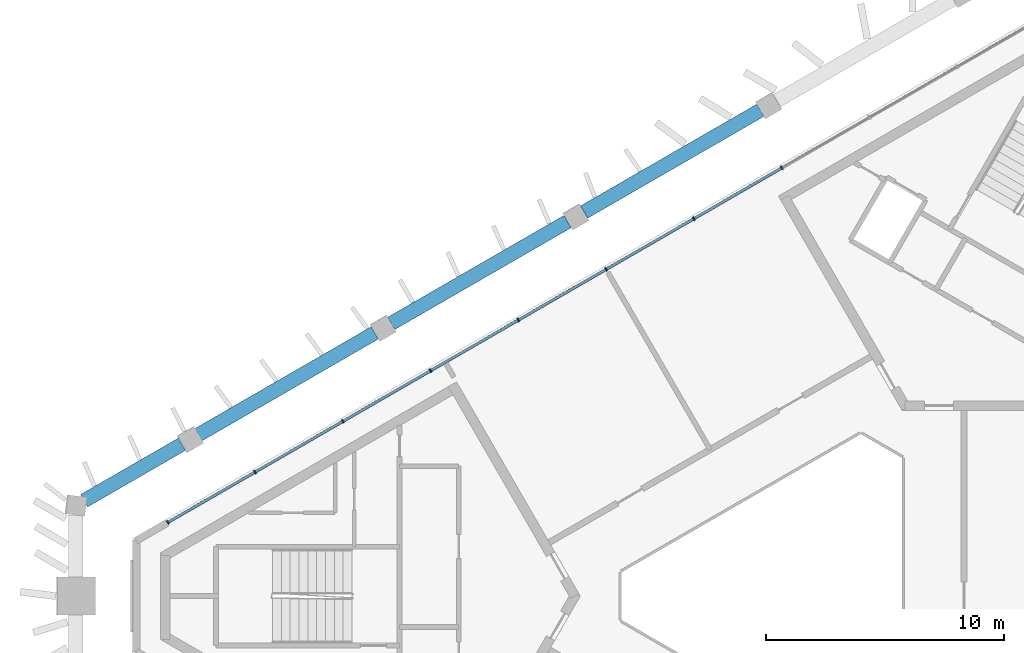
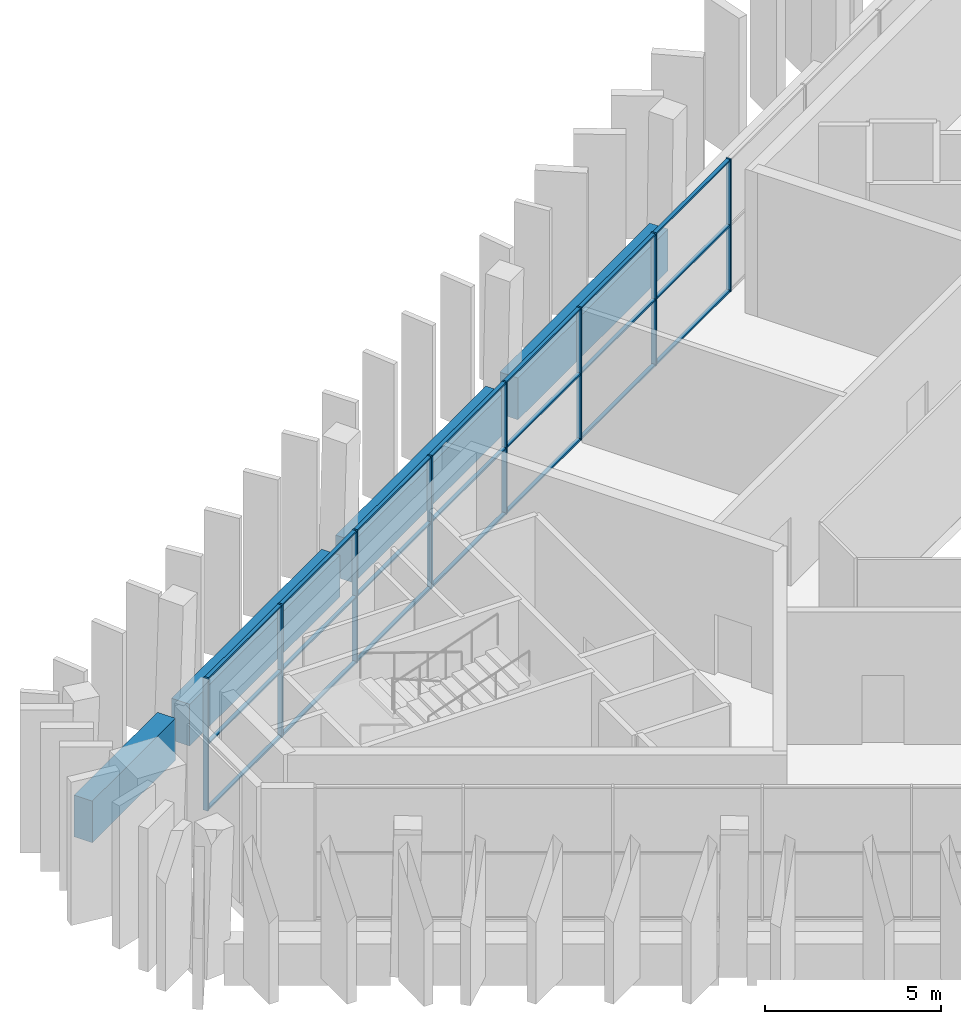
# One storey, part 5 of 13: 29 members, 4 beams, 1 element without a shape of its own.
"""IFC4 building model written with IfcOpenShell, lengths in metres."""

from ifc_helpers import new_model, si_unit, direction, frame, origin, origin_2d, place, context, subcontext, project, spatial, rectangle, extrude, material, layer, layer_set, material_profile, profile_set, type_object, element, aggregate, save


model = new_model("IFC4")

# Units and contexts
model_context = context("Model", 3, precision=1e-05, world=origin(), true_north=direction((0.0, 1.0)))
body_context = subcontext(model_context, "Body", "Model", "MODEL_VIEW")
ifc_project = project(units=[si_unit("LENGTHUNIT", "METRE"), si_unit("AREAUNIT", "SQUARE_METRE"), si_unit("VOLUMEUNIT", "CUBIC_METRE"), si_unit("PLANEANGLEUNIT", "RADIAN"), si_unit("MASSUNIT", "GRAM", prefix="KILO")], contexts=[model_context])

# Site, building, storey
site_placement = place(None, origin())
site = spatial("IfcSite", under=ifc_project, at=site_placement, CompositionType="ELEMENT")
building_placement = place(site_placement, origin())
building = spatial("IfcBuilding", under=site, at=building_placement, Name="Jabali Bay Hotel Tower and Convention Centre", CompositionType="ELEMENT")
storey_placement = place(building_placement, frame((0.0, 0.0, 310.800048828125)))
storey = spatial("IfcBuildingStorey", under=building, at=storey_placement, Name="L76", CompositionType="ELEMENT", Elevation=310.800048828125)

# Curtain wall, members
ifc_material_1 = material(Name="Aluminium and glass", Category="aluminium")
ifc_layer = layer(ifc_material_1, 0.159912109375)
ifc_layer_set = layer_set([ifc_layer], Name="Aluminium and glass")
curtain_wall_type = type_object("IfcCurtainWallType", Name="CW3 curtain wall", PredefinedType="NOTDEFINED", material=ifc_layer_set)
curtain_wall_placement = place(storey_placement, origin())
curtain_wall = element("IfcCurtainWall", 1, at=curtain_wall_placement, inside=storey, type_object=curtain_wall_type, Name="CW3 curtain wall north-west face L76", PredefinedType="NOTDEFINED")
ifc_material_2 = material(Name="Aluminium", Category="aluminium")
ifc_material_profile_1 = material_profile(ifc_material_2, rectangle(XDim=0.159912109375, YDim=0.06005859375, at=origin_2d()), Name="CW3 mullion 60 x 160")
ifc_profile_set_1 = profile_set([ifc_material_profile_1], Name="Aluminium")
member_type_1 = type_object("IfcMemberType", Name="CW3 mullion 60 x 160", PredefinedType="MULLION", material=ifc_profile_set_1)
member_1_placement = place(storey_placement, frame((48.69580078125, 83.09326171875, 0.0), z_axis=(0.0, 0.0, 1.0), x_axis=(-0.5, 0.866025403784, 0.0)))
member_1 = element("IfcMember", 2, at=member_1_placement, type_object=member_type_1, Name="CW3 mullion 1", PredefinedType="MULLION", context=body_context, shape_type="SweptSolid", body=[
    extrude(rectangle(XDim=0.159912109375, YDim=0.06005859375, at=origin_2d()), origin(), (0.0, 0.0, 1.0), 4.599853515625),
])
member_2_placement = place(storey_placement, frame((52.352783203125, 85.20458984375, 0.0), z_axis=(0.0, 0.0, 1.0), x_axis=(-0.5, 0.866025403784, 0.0)))
member_2 = element("IfcMember", 3, at=member_2_placement, type_object=member_type_1, Name="CW3 mullion 2", PredefinedType="MULLION", context=body_context, shape_type="SweptSolid", body=[
    extrude(rectangle(XDim=0.159912109375, YDim=0.06005859375, at=origin_2d()), origin(), (0.0, 0.0, 1.0), 4.599853515625),
])
member_3_placement = place(storey_placement, frame((56.03564453125, 87.3310546875, 0.0), z_axis=(0.0, 0.0, 1.0), x_axis=(-0.5, 0.866025403784, 0.0)))
member_3 = element("IfcMember", 4, at=member_3_placement, type_object=member_type_1, Name="CW3 mullion 3", PredefinedType="MULLION", context=body_context, shape_type="SweptSolid", body=[
    extrude(rectangle(XDim=0.159912109375, YDim=0.06005859375, at=origin_2d()), origin(), (0.0, 0.0, 1.0), 4.599853515625),
])
member_4_placement = place(storey_placement, frame((59.71875, 89.457275390625, 0.0), z_axis=(0.0, 0.0, 1.0), x_axis=(-0.5, 0.866025403784, 0.0)))
member_4 = element("IfcMember", 5, at=member_4_placement, type_object=member_type_1, Name="CW3 mullion 4", PredefinedType="MULLION", context=body_context, shape_type="SweptSolid", body=[
    extrude(rectangle(XDim=0.159912109375, YDim=0.06005859375, at=origin_2d()), origin(), (0.0, 0.0, 1.0), 4.599853515625),
])
member_5_placement = place(storey_placement, frame((63.401611328125, 91.583740234375, 0.0), z_axis=(0.0, 0.0, 1.0), x_axis=(-0.5, 0.866025403784, 0.0)))
member_5 = element("IfcMember", 6, at=member_5_placement, type_object=member_type_1, Name="CW3 mullion 5", PredefinedType="MULLION", context=body_context, shape_type="SweptSolid", body=[
    extrude(rectangle(XDim=0.159912109375, YDim=0.06005859375, at=origin_2d()), origin(), (0.0, 0.0, 1.0), 4.599853515625),
])
member_6_placement = place(storey_placement, frame((67.08447265625, 93.7099609375, 0.0), z_axis=(0.0, 0.0, 1.0), x_axis=(-0.5, 0.866025403784, 0.0)))
member_6 = element("IfcMember", 7, at=member_6_placement, type_object=member_type_1, Name="CW3 mullion 6", PredefinedType="MULLION", context=body_context, shape_type="SweptSolid", body=[
    extrude(rectangle(XDim=0.159912109375, YDim=0.06005859375, at=origin_2d()), origin(), (0.0, 0.0, 1.0), 4.599853515625),
])
member_7_placement = place(storey_placement, frame((70.767578125, 95.83642578125, 0.0), z_axis=(0.0, 0.0, 1.0), x_axis=(-0.5, 0.866025403784, 0.0)))
member_7 = element("IfcMember", 8, at=member_7_placement, type_object=member_type_1, Name="CW3 mullion 7", PredefinedType="MULLION", context=body_context, shape_type="SweptSolid", body=[
    extrude(rectangle(XDim=0.159912109375, YDim=0.06005859375, at=origin_2d()), origin(), (0.0, 0.0, 1.0), 4.599853515625),
])
member_8_placement = place(storey_placement, frame((74.450439453125, 97.962646484375, 0.0), z_axis=(0.0, 0.0, 1.0), x_axis=(-0.5, 0.866025403784, 0.0)))
member_8 = element("IfcMember", 9, at=member_8_placement, type_object=member_type_1, Name="CW3 mullion 8", PredefinedType="MULLION", context=body_context, shape_type="SweptSolid", body=[
    extrude(rectangle(XDim=0.159912109375, YDim=0.06005859375, at=origin_2d()), origin(), (0.0, 0.0, 1.0), 4.599853515625),
])
ifc_material_profile_2 = material_profile(ifc_material_2, rectangle(XDim=0.1201171875, YDim=0.06005859375, at=origin_2d()), Name="CW3 transom 60 x 120")
ifc_profile_set_2 = profile_set([ifc_material_profile_2], Name="Aluminium")
member_type_2 = type_object("IfcMemberType", Name="CW3 transom 60 x 120", PredefinedType="USERDEFINED", material=ifc_profile_set_2)
member_9_placement = place(storey_placement, frame((48.7216796875, 83.108154296875, 0.030029296875), z_axis=(0.866018583443, 0.500011812991, 0.0), x_axis=(-0.500011812991, 0.866018583443, 0.0)))
member_9 = element("IfcMember", 10, at=member_9_placement, type_object=member_type_2, Name="CW3 transom 1.1", ObjectType="TRANSOM", PredefinedType="USERDEFINED", context=body_context, shape_type="SweptSolid", body=[
    extrude(rectangle(XDim=0.1201171875, YDim=0.06005859375, at=origin_2d()), origin(), (0.0, 0.0, 1.0), 4.1630859375),
])
member_10_placement = place(storey_placement, frame((48.7216796875, 83.108154296875, 2.300048828125), z_axis=(0.866018583443, 0.500011812991, 0.0), x_axis=(-0.500011812991, 0.866018583443, 0.0)))
member_10 = element("IfcMember", 11, at=member_10_placement, type_object=member_type_2, Name="CW3 transom 1.2", ObjectType="TRANSOM", PredefinedType="USERDEFINED", context=body_context, shape_type="SweptSolid", body=[
    extrude(rectangle(XDim=0.1201171875, YDim=0.06005859375, at=origin_2d()), origin(), (0.0, 0.0, 1.0), 4.1630859375),
])
member_11_placement = place(storey_placement, frame((48.7216796875, 83.108154296875, 4.570068359375), z_axis=(0.866018583443, 0.500011812991, 0.0), x_axis=(-0.500011812991, 0.866018583443, 0.0)))
member_11 = element("IfcMember", 12, at=member_11_placement, type_object=member_type_2, Name="CW3 transom 1.3", ObjectType="TRANSOM", PredefinedType="USERDEFINED", context=body_context, shape_type="SweptSolid", body=[
    extrude(rectangle(XDim=0.1201171875, YDim=0.06005859375, at=origin_2d()), origin(), (0.0, 0.0, 1.0), 4.1630859375),
])
member_12_placement = place(storey_placement, frame((52.378662109375, 85.2197265625, 0.030029296875), z_axis=(0.866048865957, 0.499959360123, 0.0), x_axis=(-0.499959360123, 0.866048865957, 0.0)))
member_12 = element("IfcMember", 13, at=member_12_placement, type_object=member_type_2, Name="CW3 transom 2.1", ObjectType="TRANSOM", PredefinedType="USERDEFINED", context=body_context, shape_type="SweptSolid", body=[
    extrude(rectangle(XDim=0.1201171875, YDim=0.06005859375, at=origin_2d()), origin(), (0.0, 0.0, 1.0), 4.192626953125),
])
member_13_placement = place(storey_placement, frame((52.378662109375, 85.2197265625, 2.300048828125), z_axis=(0.866048865957, 0.499959360123, 0.0), x_axis=(-0.499959360123, 0.866048865957, 0.0)))
member_13 = element("IfcMember", 14, at=member_13_placement, type_object=member_type_2, Name="CW3 transom 2.2", ObjectType="TRANSOM", PredefinedType="USERDEFINED", context=body_context, shape_type="SweptSolid", body=[
    extrude(rectangle(XDim=0.1201171875, YDim=0.06005859375, at=origin_2d()), origin(), (0.0, 0.0, 1.0), 4.192626953125),
])
member_14_placement = place(storey_placement, frame((52.378662109375, 85.2197265625, 4.570068359375), z_axis=(0.866048865957, 0.499959360123, 0.0), x_axis=(-0.499959360123, 0.866048865957, 0.0)))
member_14 = element("IfcMember", 15, at=member_14_placement, type_object=member_type_2, Name="CW3 transom 2.3", ObjectType="TRANSOM", PredefinedType="USERDEFINED", context=body_context, shape_type="SweptSolid", body=[
    extrude(rectangle(XDim=0.1201171875, YDim=0.06005859375, at=origin_2d()), origin(), (0.0, 0.0, 1.0), 4.192626953125),
])
member_15_placement = place(storey_placement, frame((56.061767578125, 87.345947265625, 0.030029296875), z_axis=(0.866009094545, 0.500028247368, 0.0), x_axis=(-0.500028247368, 0.866009094545, 0.0)))
member_15 = element("IfcMember", 16, at=member_15_placement, type_object=member_type_2, Name="CW3 transom 3.1", ObjectType="TRANSOM", PredefinedType="USERDEFINED", context=body_context, shape_type="SweptSolid", body=[
    extrude(rectangle(XDim=0.1201171875, YDim=0.06005859375, at=origin_2d()), origin(), (0.0, 0.0, 1.0), 4.192626953125),
])
member_16_placement = place(storey_placement, frame((56.061767578125, 87.345947265625, 2.300048828125), z_axis=(0.866009094545, 0.500028247368, 0.0), x_axis=(-0.500028247368, 0.866009094545, 0.0)))
member_16 = element("IfcMember", 17, at=member_16_placement, type_object=member_type_2, Name="CW3 transom 3.2", ObjectType="TRANSOM", PredefinedType="USERDEFINED", context=body_context, shape_type="SweptSolid", body=[
    extrude(rectangle(XDim=0.1201171875, YDim=0.06005859375, at=origin_2d()), origin(), (0.0, 0.0, 1.0), 4.192626953125),
])
member_17_placement = place(storey_placement, frame((56.061767578125, 87.345947265625, 4.570068359375), z_axis=(0.866009094545, 0.500028247368, 0.0), x_axis=(-0.500028247368, 0.866009094545, 0.0)))
member_17 = element("IfcMember", 18, at=member_17_placement, type_object=member_type_2, Name="CW3 transom 3.3", ObjectType="TRANSOM", PredefinedType="USERDEFINED", context=body_context, shape_type="SweptSolid", body=[
    extrude(rectangle(XDim=0.1201171875, YDim=0.06005859375, at=origin_2d()), origin(), (0.0, 0.0, 1.0), 4.192626953125),
])
member_18_placement = place(storey_placement, frame((59.74462890625, 89.472412109375, 0.030029296875), z_axis=(0.866034309822, 0.499984573973, 0.0), x_axis=(-0.499984573973, 0.866034309822, 0.0)))
member_18 = element("IfcMember", 19, at=member_18_placement, type_object=member_type_2, Name="CW3 transom 4.1", ObjectType="TRANSOM", PredefinedType="USERDEFINED", context=body_context, shape_type="SweptSolid", body=[
    extrude(rectangle(XDim=0.1201171875, YDim=0.06005859375, at=origin_2d()), origin(), (0.0, 0.0, 1.0), 4.192626953125),
])
member_19_placement = place(storey_placement, frame((59.74462890625, 89.472412109375, 2.300048828125), z_axis=(0.866034309822, 0.499984573973, 0.0), x_axis=(-0.499984573973, 0.866034309822, 0.0)))
member_19 = element("IfcMember", 20, at=member_19_placement, type_object=member_type_2, Name="CW3 transom 4.2", ObjectType="TRANSOM", PredefinedType="USERDEFINED", context=body_context, shape_type="SweptSolid", body=[
    extrude(rectangle(XDim=0.1201171875, YDim=0.06005859375, at=origin_2d()), origin(), (0.0, 0.0, 1.0), 4.192626953125),
])
member_20_placement = place(storey_placement, frame((59.74462890625, 89.472412109375, 4.570068359375), z_axis=(0.866034309822, 0.499984573973, 0.0), x_axis=(-0.499984573973, 0.866034309822, 0.0)))
member_20 = element("IfcMember", 21, at=member_20_placement, type_object=member_type_2, Name="CW3 transom 4.3", ObjectType="TRANSOM", PredefinedType="USERDEFINED", context=body_context, shape_type="SweptSolid", body=[
    extrude(rectangle(XDim=0.1201171875, YDim=0.06005859375, at=origin_2d()), origin(), (0.0, 0.0, 1.0), 4.192626953125),
])
member_21_placement = place(storey_placement, frame((63.427490234375, 91.5986328125, 0.030029296875), z_axis=(0.866023652799, 0.500003032783, 0.0), x_axis=(-0.500003032783, 0.866023652799, 0.0)))
member_21 = element("IfcMember", 22, at=member_21_placement, type_object=member_type_2, Name="CW3 transom 5.1", ObjectType="TRANSOM", PredefinedType="USERDEFINED", context=body_context, shape_type="SweptSolid", body=[
    extrude(rectangle(XDim=0.1201171875, YDim=0.06005859375, at=origin_2d()), origin(), (0.0, 0.0, 1.0), 4.19287109375),
])
member_22_placement = place(storey_placement, frame((63.427490234375, 91.5986328125, 2.300048828125), z_axis=(0.866023652799, 0.500003032783, 0.0), x_axis=(-0.500003032783, 0.866023652799, 0.0)))
member_22 = element("IfcMember", 23, at=member_22_placement, type_object=member_type_2, Name="CW3 transom 5.2", ObjectType="TRANSOM", PredefinedType="USERDEFINED", context=body_context, shape_type="SweptSolid", body=[
    extrude(rectangle(XDim=0.1201171875, YDim=0.06005859375, at=origin_2d()), origin(), (0.0, 0.0, 1.0), 4.19287109375),
])
member_23_placement = place(storey_placement, frame((63.427490234375, 91.5986328125, 4.570068359375), z_axis=(0.866023652799, 0.500003032783, 0.0), x_axis=(-0.500003032783, 0.866023652799, 0.0)))
member_23 = element("IfcMember", 24, at=member_23_placement, type_object=member_type_2, Name="CW3 transom 5.3", ObjectType="TRANSOM", PredefinedType="USERDEFINED", context=body_context, shape_type="SweptSolid", body=[
    extrude(rectangle(XDim=0.1201171875, YDim=0.06005859375, at=origin_2d()), origin(), (0.0, 0.0, 1.0), 4.19287109375),
])
member_24_placement = place(storey_placement, frame((67.110595703125, 93.72509765625, 0.030029296875), z_axis=(0.866034309822, 0.499984573973, 0.0), x_axis=(-0.499984573973, 0.866034309822, 0.0)))
member_24 = element("IfcMember", 25, at=member_24_placement, type_object=member_type_2, Name="CW3 transom 6.1", ObjectType="TRANSOM", PredefinedType="USERDEFINED", context=body_context, shape_type="SweptSolid", body=[
    extrude(rectangle(XDim=0.1201171875, YDim=0.06005859375, at=origin_2d()), origin(), (0.0, 0.0, 1.0), 4.192626953125),
])
member_25_placement = place(storey_placement, frame((67.110595703125, 93.72509765625, 2.300048828125), z_axis=(0.866034309822, 0.499984573973, 0.0), x_axis=(-0.499984573973, 0.866034309822, 0.0)))
member_25 = element("IfcMember", 26, at=member_25_placement, type_object=member_type_2, Name="CW3 transom 6.2", ObjectType="TRANSOM", PredefinedType="USERDEFINED", context=body_context, shape_type="SweptSolid", body=[
    extrude(rectangle(XDim=0.1201171875, YDim=0.06005859375, at=origin_2d()), origin(), (0.0, 0.0, 1.0), 4.192626953125),
])
member_26_placement = place(storey_placement, frame((67.110595703125, 93.72509765625, 4.570068359375), z_axis=(0.866034309822, 0.499984573973, 0.0), x_axis=(-0.499984573973, 0.866034309822, 0.0)))
member_26 = element("IfcMember", 27, at=member_26_placement, type_object=member_type_2, Name="CW3 transom 6.3", ObjectType="TRANSOM", PredefinedType="USERDEFINED", context=body_context, shape_type="SweptSolid", body=[
    extrude(rectangle(XDim=0.1201171875, YDim=0.06005859375, at=origin_2d()), origin(), (0.0, 0.0, 1.0), 4.192626953125),
])
member_27_placement = place(storey_placement, frame((70.79345703125, 95.851318359375, 0.030029296875), z_axis=(0.866009094545, 0.500028247368, 0.0), x_axis=(-0.500028247368, 0.866009094545, 0.0)))
member_27 = element("IfcMember", 28, at=member_27_placement, type_object=member_type_2, Name="CW3 transom 7.1", ObjectType="TRANSOM", PredefinedType="USERDEFINED", context=body_context, shape_type="SweptSolid", body=[
    extrude(rectangle(XDim=0.1201171875, YDim=0.06005859375, at=origin_2d()), origin(), (0.0, 0.0, 1.0), 4.192626953125),
])
member_28_placement = place(storey_placement, frame((70.79345703125, 95.851318359375, 2.300048828125), z_axis=(0.866009094545, 0.500028247368, 0.0), x_axis=(-0.500028247368, 0.866009094545, 0.0)))
member_28 = element("IfcMember", 29, at=member_28_placement, type_object=member_type_2, Name="CW3 transom 7.2", ObjectType="TRANSOM", PredefinedType="USERDEFINED", context=body_context, shape_type="SweptSolid", body=[
    extrude(rectangle(XDim=0.1201171875, YDim=0.06005859375, at=origin_2d()), origin(), (0.0, 0.0, 1.0), 4.192626953125),
])
member_29_placement = place(storey_placement, frame((70.79345703125, 95.851318359375, 4.570068359375), z_axis=(0.866009094545, 0.500028247368, 0.0), x_axis=(-0.500028247368, 0.866009094545, 0.0)))
member_29 = element("IfcMember", 30, at=member_29_placement, type_object=member_type_2, Name="CW3 transom 7.3", ObjectType="TRANSOM", PredefinedType="USERDEFINED", context=body_context, shape_type="SweptSolid", body=[
    extrude(rectangle(XDim=0.1201171875, YDim=0.06005859375, at=origin_2d()), origin(), (0.0, 0.0, 1.0), 4.192626953125),
])
aggregate(curtain_wall, [member_1, member_2, member_3, member_4, member_5, member_6, member_7, member_8, member_9, member_10, member_11, member_12, member_13, member_14, member_15, member_16, member_17, member_18, member_19, member_20, member_21, member_22, member_23, member_24, member_25, member_26, member_27, member_28, member_29])

# Beams
ifc_material_3 = material(Name="Concrete C60", Category="concrete")
ifc_material_profile_3 = material_profile(ifc_material_3, rectangle(XDim=0.60009765625, YDim=1.449951171875, at=origin_2d()), Name="Spandrel 600x1450")
ifc_profile_set_3 = profile_set([ifc_material_profile_3], Name="Concrete C60")
beam_type = type_object("IfcBeamType", Name="Spandrel 600x1450", PredefinedType="SPANDREL", material=ifc_profile_set_3)
beam_1_placement = place(storey_placement, frame((73.556884765625, 100.382568359375, 0.375), z_axis=(-0.866027084608, -0.499997088717, 0.0), x_axis=(0.499997088717, -0.866027084608, 0.0)))
element("IfcBeam", 31, at=beam_1_placement, inside=storey, type_object=beam_type, Name="Spandrel F1.2-F1.3 L76", PredefinedType="SPANDREL", context=body_context, shape_type="SweptSolid", body=[
    extrude(rectangle(XDim=0.60009765625, YDim=1.449951171875, at=origin_2d()), origin(), (0.0, 0.0, 1.0), 8.54150390625),
])
for number, where, z_axis, x_axis, name in (
    (32, (65.466796875, 95.7119140625, 0.375), (-0.866019938752, -0.500009465595, 0.0), (0.500009465595, -0.866019938752, 0.0), "Spandrel F1.3-F1.4 L76"),
    (33, (57.376953125, 91.041015625, 0.375), (-0.866032315796, -0.499988027854, 0.0), (0.499988027854, -0.866032315796, 0.0), "Spandrel F1.4-F1.5 L76"),
):
    element("IfcBeam", number, at=place(storey_placement, frame(where, z_axis=z_axis, x_axis=x_axis)), inside=storey, type_object=beam_type, Name=name, PredefinedType="SPANDREL", context=body_context, shape_type="SweptSolid", body=[
        extrude(rectangle(XDim=0.60009765625, YDim=1.449951171875, at=origin_2d()), origin(), (0.0, 0.0, 1.0), 8.541259765625),
    ])
beam_2_placement = place(storey_placement, frame((49.287109375, 86.370361328125, 0.375), z_axis=(-0.866038977738, -0.499976488486, 0.0), x_axis=(0.499976488486, -0.866038977738, 0.0)))
element("IfcBeam", 34, at=beam_2_placement, inside=storey, type_object=beam_type, Name="Spandrel F1.5-V3 L76", PredefinedType="SPANDREL", context=body_context, shape_type="SweptSolid", body=[
    extrude(rectangle(XDim=0.60009765625, YDim=1.449951171875, at=origin_2d()), origin(), (0.0, 0.0, 1.0), 4.741943359375),
])

save(model, "model.ifc")
